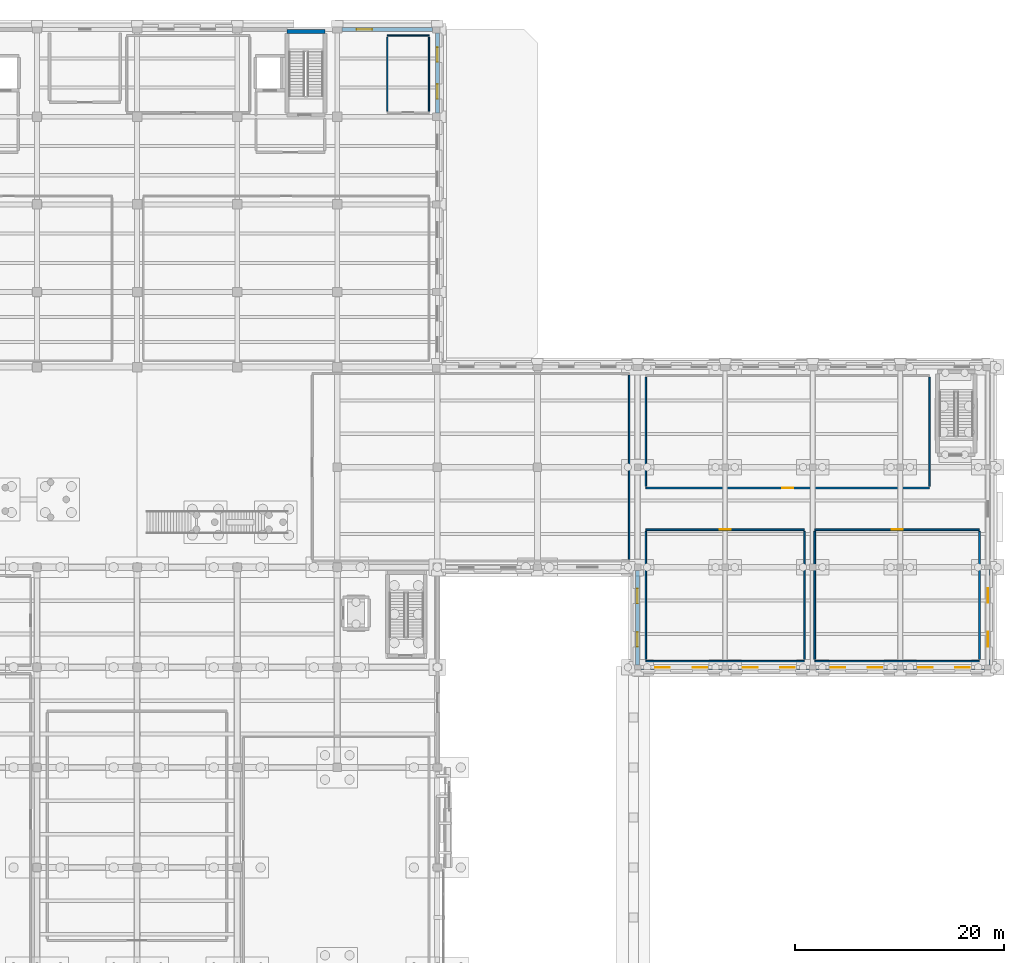
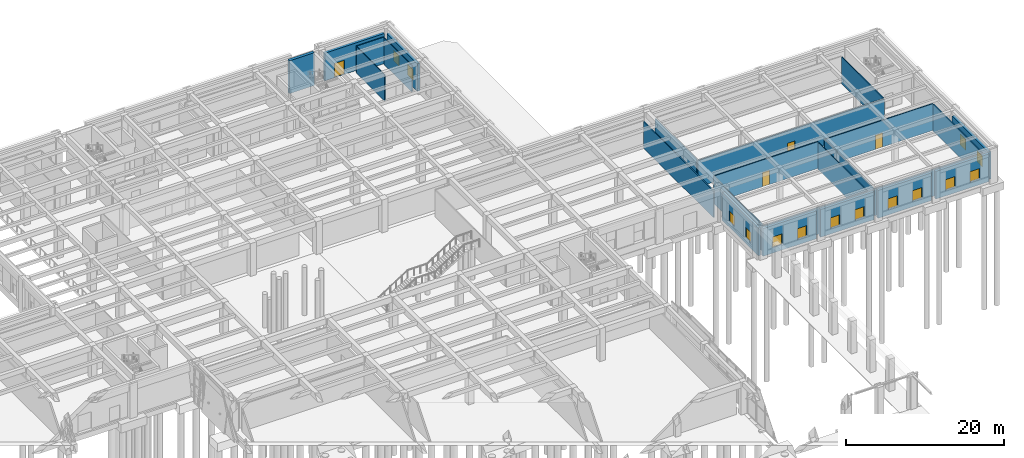
# One storey, part 36 of 51: 24 walls, 14 windows, 4 doors, 18 openings.
"""IFC4 building model written with IfcOpenShell, lengths in metres."""

from ifc_helpers import new_model, si_unit, direction, frame, frame_2d, origin, place, context, subcontext, project, spatial, rectangle, extrude, material, layer, layer_set, type_object, element, fill, save


model = new_model("IFC4")

# Units and contexts
model_context = context("Model", 3, precision=1e-05, world=origin(), true_north=direction((0.0, 1.0)))
body_context = subcontext(model_context, "Body", "Model", "MODEL_VIEW")
ifc_project = project(units=[si_unit("LENGTHUNIT", "METRE"), si_unit("AREAUNIT", "SQUARE_METRE"), si_unit("VOLUMEUNIT", "CUBIC_METRE"), si_unit("PLANEANGLEUNIT", "RADIAN"), si_unit("MASSUNIT", "GRAM", prefix="KILO")], contexts=[model_context])

# Site, building, storey
site_placement = place(None, origin())
site = spatial("IfcSite", under=ifc_project, at=site_placement, CompositionType="ELEMENT")
building_placement = place(site_placement, origin())
building = spatial("IfcBuilding", under=site, at=building_placement, Name="Bempovik Park Faculty of Sciences", CompositionType="ELEMENT")
storey_placement = place(building_placement, origin())
storey = spatial("IfcBuildingStorey", under=building, at=storey_placement, Name="L00", CompositionType="ELEMENT", Elevation=0.0)

# Walls
ifc_material_1 = material(Name="Gypsum acoustic stud assembly")
ifc_layer_1 = layer(ifc_material_1, 0.1201171875)
ifc_layer_set_1 = layer_set([ifc_layer_1], Name="Gypsum acoustic stud assembly")
wall_type_1 = type_object("IfcWallType", Name="W-17 Wall 120mm", PredefinedType="PARTITIONING", material=ifc_layer_set_1)
wall_1_placement = place(storey_placement, frame((112.800048828125, 118.800048828125, 0.0), z_axis=(0.0, 0.0, 1.0), x_axis=(1.0, 0.0, 0.0)))
element("IfcWall", 1, at=wall_1_placement, inside=storey, type_object=wall_type_1, Name="L00 Ground Accessible WC Partition North", PredefinedType="PARTITIONING", context=body_context, shape_type="SweptSolid", body=[
    extrude(rectangle(XDim=4.0, YDim=0.1201171875, at=frame_2d((2.0, 0.0))), origin(), (0.0, 0.0, 1.0), 4.1201171875),
])
for number, where, z_axis, x_axis, name in (
    (2, (112.800048828125, 111.56005859375, 0.0), (0.0, 0.0, 1.0), (0.0, 1.0, 0.0), "L00 Ground Accessible WC Partition West"),
    (3, (116.800048828125, 111.56005859375, 0.0), (0.0, 0.0, 1.0), (0.0, 1.0, 0.0), "L00 Ground Accessible WC Partition East"),
):
    element("IfcWall", number, at=place(storey_placement, frame(where, z_axis=z_axis, x_axis=x_axis)), inside=storey, type_object=wall_type_1, Name=name, PredefinedType="PARTITIONING", context=body_context, shape_type="SweptSolid", body=[
        extrude(rectangle(XDim=7.079833984375, YDim=0.1201171875, at=frame_2d((3.5400390625, 0.0))), origin(), (0.0, 0.0, 1.0), 4.1201171875),
    ])

# Wall, opening, door
ifc_material_2 = material(Name="Precast concrete C40/50", Category="concrete")
ifc_layer_2 = layer(ifc_material_2, 0.3798828125)
ifc_layer_set_2 = layer_set([ifc_layer_2], Name="Precast concrete C40/50")
wall_type_2 = type_object("IfcWallType", Name="W-27 Wall 380mm", PredefinedType="SOLIDWALL", material=ifc_layer_set_2)
wall_2_placement = place(storey_placement, frame((108.451904296875, 119.39990234375, 0.0), z_axis=(0.0, 0.0, 1.0), x_axis=(1.0, 0.0, 0.0)))
wall_2 = element("IfcWall", 4, at=wall_2_placement, inside=storey, type_object=wall_type_2, Name="L00 Classical Precast Facade Wall EW-L00-5876", PredefinedType="SOLIDWALL", context=body_context, shape_type="SweptSolid", body=[
    extrude(rectangle(XDim=8.696044921875, YDim=0.3798828125, at=frame_2d((4.34814453125, 0.0))), origin(), (0.0, 0.0, 1.0), 4.280029296875),
])
opening_1_placement = place(wall_2_placement, frame((1.39794921875, 0.0, 0.0)))
opening_1 = element("IfcOpeningElement", 5, at=opening_1_placement, cuts=wall_2, Name="Opening D-29", PredefinedType="OPENING", context=body_context, shape_type="SweptSolid", body=[
    extrude(rectangle(XDim=1.5, YDim=2.199951171875, at=frame_2d((0.75, 1.10009765625))), frame((0.0, 0.199951171875, 0.0), z_axis=(0.0, -1.0, 0.0), x_axis=(1.0, 0.0, 0.0)), (0.0, 0.0, 1.0), 0.39990234375),
])
ifc_material_3 = material(Name="Painted steel S355", Category="steel")
door_type_1 = type_object("IfcDoorType", Name="D-29 Door 1500x2200", OperationType="NOTDEFINED", PredefinedType="DOOR", material=ifc_material_3)
door_1_placement = place(opening_1_placement, origin())
door_1 = element("IfcDoor", 6, at=door_1_placement, inside=storey, type_object=door_type_1, Name="Stair ST-2 Final Street Discharge Door", OperationType="SINGLE_SWING_RIGHT", OverallHeight=2.199951171875, OverallWidth=1.5, PredefinedType="DOOR", context=body_context, shape_type="SweptSolid", body=[
    extrude(rectangle(XDim=1.5, YDim=2.199951171875, at=frame_2d((0.75, 1.10009765625))), frame((0.0, 0.02490234375, 0.0), z_axis=(0.0, -1.0, 0.0), x_axis=(1.0, 0.0, 0.0)), (0.0, 0.0, 1.0), 0.050048828125),
])
fill(opening_1, door_1)

# Wall, openings, windows
wall_3_placement = place(storey_placement, frame((117.60009765625, 111.35205078125, 0.0), z_axis=(0.0, 0.0, 1.0), x_axis=(0.0, 1.0, 0.0)))
wall_3 = element("IfcWall", 7, at=wall_3_placement, inside=storey, type_object=wall_type_2, Name="L00 Classical Precast Facade Wall EW-L00-5911", PredefinedType="SOLIDWALL", context=body_context, shape_type="SweptSolid", body=[
    extrude(rectangle(XDim=7.696044921875, YDim=0.3798828125, at=frame_2d((3.84814453125, 0.0))), origin(), (0.0, 0.0, 1.0), 4.280029296875),
])
opening_2_placement = place(wall_3_placement, frame((1.3779296875, 0.0, 0.85009765625)))
opening_2 = element("IfcOpeningElement", 8, at=opening_2_placement, cuts=wall_3, Name="Opening WN-84", PredefinedType="OPENING", context=body_context, shape_type="SweptSolid", body=[
    extrude(rectangle(XDim=1.39990234375, YDim=1.64990234375, at=frame_2d((0.699951171875, 0.824951171875))), frame((0.0, 0.199951171875, 0.0), z_axis=(0.0, -1.0, 0.0), x_axis=(1.0, 0.0, 0.0)), (0.0, 0.0, 1.0), 0.39990234375),
])
opening_3_placement = place(wall_3_placement, frame((4.918212890625, 0.0, 0.85009765625)))
opening_3 = element("IfcOpeningElement", 9, at=opening_3_placement, cuts=wall_3, Name="Opening WN-84", PredefinedType="OPENING", context=body_context, shape_type="SweptSolid", body=[
    extrude(rectangle(XDim=1.39990234375, YDim=1.64990234375, at=frame_2d((0.699951171875, 0.824951171875))), frame((0.0, 0.199951171875, 0.0), z_axis=(0.0, -1.0, 0.0), x_axis=(1.0, 0.0, 0.0)), (0.0, 0.0, 1.0), 0.39990234375),
])
ifc_material_4 = material(Name="Tempered laminated low-E glass", Category="glass")
window_type = type_object("IfcWindowType", Name="WN-84 Window 1400x1650", PartitioningType="SINGLE_PANEL", PredefinedType="WINDOW", material=ifc_material_4)
window_1_placement = place(opening_2_placement, origin())
window_1 = element("IfcWindow", 10, at=window_1_placement, inside=storey, type_object=window_type, Name="L00 Window EW-L00-5911-1", OverallHeight=1.64990234375, OverallWidth=1.39990234375, PartitioningType="SINGLE_PANEL", PredefinedType="WINDOW", context=body_context, shape_type="SweptSolid", body=[
    extrude(rectangle(XDim=1.39990234375, YDim=1.64990234375, at=frame_2d((0.699951171875, 0.824951171875))), frame((0.0, 0.030029296875, 0.0), z_axis=(0.0, -1.0, 0.0), x_axis=(1.0, 0.0, 0.0)), (0.0, 0.0, 1.0), 0.06005859375),
])
fill(opening_2, window_1)
window_2_placement = place(opening_3_placement, origin())
window_2 = element("IfcWindow", 11, at=window_2_placement, inside=storey, type_object=window_type, Name="L00 Window EW-L00-5911-2", OverallHeight=1.64990234375, OverallWidth=1.39990234375, PartitioningType="SINGLE_PANEL", PredefinedType="WINDOW", context=body_context, shape_type="SweptSolid", body=[
    extrude(rectangle(XDim=1.39990234375, YDim=1.64990234375, at=frame_2d((0.699951171875, 0.824951171875))), frame((0.0, 0.030029296875, 0.0), z_axis=(0.0, -1.0, 0.0), x_axis=(1.0, 0.0, 0.0)), (0.0, 0.0, 1.0), 0.06005859375),
])
fill(opening_3, window_2)

wall_4_placement = place(storey_placement, frame((170.39990234375, 58.431884765625, 0.0), z_axis=(0.0, 0.0, 1.0), x_axis=(0.0, 1.0, 0.0)))
wall_4 = element("IfcWall", 12, at=wall_4_placement, inside=storey, type_object=wall_type_2, Name="L00 Classical Precast Facade Wall EW-L00-5980", PredefinedType="SOLIDWALL", context=body_context, shape_type="SweptSolid", body=[
    extrude(rectangle(XDim=9.13623046875, YDim=0.3798828125, at=frame_2d((4.568115234375, 0.0))), origin(), (0.0, 0.0, 1.0), 4.280029296875),
])
opening_4_placement = place(wall_4_placement, frame((1.7666015625, 0.0, 0.85009765625)))
opening_4 = element("IfcOpeningElement", 13, at=opening_4_placement, cuts=wall_4, Name="Opening WN-84", PredefinedType="OPENING", context=body_context, shape_type="SweptSolid", body=[
    extrude(rectangle(XDim=1.39990234375, YDim=1.64990234375, at=frame_2d((0.699951171875, 0.824951171875))), frame((0.0, 0.199951171875, 0.0), z_axis=(0.0, -1.0, 0.0), x_axis=(1.0, 0.0, 0.0)), (0.0, 0.0, 1.0), 0.39990234375),
])
opening_5_placement = place(wall_4_placement, frame((5.96923828125, 0.0, 0.85009765625)))
opening_5 = element("IfcOpeningElement", 14, at=opening_5_placement, cuts=wall_4, Name="Opening WN-84", PredefinedType="OPENING", context=body_context, shape_type="SweptSolid", body=[
    extrude(rectangle(XDim=1.39990234375, YDim=1.64990234375, at=frame_2d((0.699951171875, 0.824951171875))), frame((0.0, 0.199951171875, 0.0), z_axis=(0.0, -1.0, 0.0), x_axis=(1.0, 0.0, 0.0)), (0.0, 0.0, 1.0), 0.39990234375),
])
window_3_placement = place(opening_4_placement, origin())
window_3 = element("IfcWindow", 15, at=window_3_placement, inside=storey, type_object=window_type, Name="L00 Window EW-L00-5980-1", OverallHeight=1.64990234375, OverallWidth=1.39990234375, PartitioningType="SINGLE_PANEL", PredefinedType="WINDOW", context=body_context, shape_type="SweptSolid", body=[
    extrude(rectangle(XDim=1.39990234375, YDim=1.64990234375, at=frame_2d((0.699951171875, 0.824951171875))), frame((0.0, 0.030029296875, 0.0), z_axis=(0.0, -1.0, 0.0), x_axis=(1.0, 0.0, 0.0)), (0.0, 0.0, 1.0), 0.06005859375),
])
fill(opening_4, window_3)
window_4_placement = place(opening_5_placement, origin())
window_4 = element("IfcWindow", 16, at=window_4_placement, inside=storey, type_object=window_type, Name="L00 Window EW-L00-5980-2", OverallHeight=1.64990234375, OverallWidth=1.39990234375, PartitioningType="SINGLE_PANEL", PredefinedType="WINDOW", context=body_context, shape_type="SweptSolid", body=[
    extrude(rectangle(XDim=1.39990234375, YDim=1.64990234375, at=frame_2d((0.699951171875, 0.824951171875))), frame((0.0, 0.030029296875, 0.0), z_axis=(0.0, -1.0, 0.0), x_axis=(1.0, 0.0, 0.0)), (0.0, 0.0, 1.0), 0.06005859375),
])
fill(opening_5, window_4)

wall_5_placement = place(storey_placement, frame((137.112060546875, 58.199951171875, 0.0), z_axis=(0.0, 0.0, 1.0), x_axis=(1.0, 0.0, 0.0)))
wall_5 = element("IfcWall", 17, at=wall_5_placement, inside=storey, type_object=wall_type_2, Name="L00 Classical Precast Facade Wall EW-L00-5999", PredefinedType="SOLIDWALL", context=body_context, shape_type="SweptSolid", body=[
    extrude(rectangle(XDim=7.77587890625, YDim=0.3798828125, at=frame_2d((3.887939453125, 0.0))), origin(), (0.0, 0.0, 1.0), 4.280029296875),
])
opening_6_placement = place(wall_5_placement, frame((1.3994140625, 0.0, 0.85009765625)))
opening_6 = element("IfcOpeningElement", 18, at=opening_6_placement, cuts=wall_5, Name="Opening WN-84", PredefinedType="OPENING", context=body_context, shape_type="SweptSolid", body=[
    extrude(rectangle(XDim=1.39990234375, YDim=1.64990234375, at=frame_2d((0.699951171875, 0.824951171875))), frame((0.0, 0.199951171875, 0.0), z_axis=(0.0, -1.0, 0.0), x_axis=(1.0, 0.0, 0.0)), (0.0, 0.0, 1.0), 0.39990234375),
])
opening_7_placement = place(wall_5_placement, frame((4.9765625, 0.0, 0.85009765625)))
opening_7 = element("IfcOpeningElement", 19, at=opening_7_placement, cuts=wall_5, Name="Opening WN-84", PredefinedType="OPENING", context=body_context, shape_type="SweptSolid", body=[
    extrude(rectangle(XDim=1.39990234375, YDim=1.64990234375, at=frame_2d((0.699951171875, 0.824951171875))), frame((0.0, 0.199951171875, 0.0), z_axis=(0.0, -1.0, 0.0), x_axis=(1.0, 0.0, 0.0)), (0.0, 0.0, 1.0), 0.39990234375),
])
window_5_placement = place(opening_6_placement, origin())
window_5 = element("IfcWindow", 20, at=window_5_placement, inside=storey, type_object=window_type, Name="L00 Window EW-L00-5999-1", OverallHeight=1.64990234375, OverallWidth=1.39990234375, PartitioningType="SINGLE_PANEL", PredefinedType="WINDOW", context=body_context, shape_type="SweptSolid", body=[
    extrude(rectangle(XDim=1.39990234375, YDim=1.64990234375, at=frame_2d((0.699951171875, 0.824951171875))), frame((0.0, 0.030029296875, 0.0), z_axis=(0.0, -1.0, 0.0), x_axis=(1.0, 0.0, 0.0)), (0.0, 0.0, 1.0), 0.06005859375),
])
fill(opening_6, window_5)
window_6_placement = place(opening_7_placement, origin())
window_6 = element("IfcWindow", 21, at=window_6_placement, inside=storey, type_object=window_type, Name="L00 Window EW-L00-5999-2", OverallHeight=1.64990234375, OverallWidth=1.39990234375, PartitioningType="SINGLE_PANEL", PredefinedType="WINDOW", context=body_context, shape_type="SweptSolid", body=[
    extrude(rectangle(XDim=1.39990234375, YDim=1.64990234375, at=frame_2d((0.699951171875, 0.824951171875))), frame((0.0, 0.030029296875, 0.0), z_axis=(0.0, -1.0, 0.0), x_axis=(1.0, 0.0, 0.0)), (0.0, 0.0, 1.0), 0.06005859375),
])
fill(opening_7, window_6)

wall_6_placement = place(storey_placement, frame((145.511962890625, 58.199951171875, 0.0), z_axis=(0.0, 0.0, 1.0), x_axis=(1.0, 0.0, 0.0)))
wall_6 = element("IfcWall", 22, at=wall_6_placement, inside=storey, type_object=wall_type_2, Name="L00 Classical Precast Facade Wall EW-L00-6010", PredefinedType="SOLIDWALL", context=body_context, shape_type="SweptSolid", body=[
    extrude(rectangle(XDim=7.776123046875, YDim=0.3798828125, at=frame_2d((3.88818359375, 0.0))), origin(), (0.0, 0.0, 1.0), 4.280029296875),
])
opening_8_placement = place(wall_6_placement, frame((1.3994140625, 0.0, 0.85009765625)))
opening_8 = element("IfcOpeningElement", 23, at=opening_8_placement, cuts=wall_6, Name="Opening WN-84", PredefinedType="OPENING", context=body_context, shape_type="SweptSolid", body=[
    extrude(rectangle(XDim=1.39990234375, YDim=1.64990234375, at=frame_2d((0.699951171875, 0.824951171875))), frame((0.0, 0.199951171875, 0.0), z_axis=(0.0, -1.0, 0.0), x_axis=(1.0, 0.0, 0.0)), (0.0, 0.0, 1.0), 0.39990234375),
])
opening_9_placement = place(wall_6_placement, frame((4.9765625, 0.0, 0.85009765625)))
opening_9 = element("IfcOpeningElement", 24, at=opening_9_placement, cuts=wall_6, Name="Opening WN-84", PredefinedType="OPENING", context=body_context, shape_type="SweptSolid", body=[
    extrude(rectangle(XDim=1.39990234375, YDim=1.64990234375, at=frame_2d((0.699951171875, 0.824951171875))), frame((0.0, 0.199951171875, 0.0), z_axis=(0.0, -1.0, 0.0), x_axis=(1.0, 0.0, 0.0)), (0.0, 0.0, 1.0), 0.39990234375),
])
window_7_placement = place(opening_8_placement, origin())
window_7 = element("IfcWindow", 25, at=window_7_placement, inside=storey, type_object=window_type, Name="L00 Window EW-L00-6010-1", OverallHeight=1.64990234375, OverallWidth=1.39990234375, PartitioningType="SINGLE_PANEL", PredefinedType="WINDOW", context=body_context, shape_type="SweptSolid", body=[
    extrude(rectangle(XDim=1.39990234375, YDim=1.64990234375, at=frame_2d((0.699951171875, 0.824951171875))), frame((0.0, 0.030029296875, 0.0), z_axis=(0.0, -1.0, 0.0), x_axis=(1.0, 0.0, 0.0)), (0.0, 0.0, 1.0), 0.06005859375),
])
fill(opening_8, window_7)
window_8_placement = place(opening_9_placement, origin())
window_8 = element("IfcWindow", 26, at=window_8_placement, inside=storey, type_object=window_type, Name="L00 Window EW-L00-6010-2", OverallHeight=1.64990234375, OverallWidth=1.39990234375, PartitioningType="SINGLE_PANEL", PredefinedType="WINDOW", context=body_context, shape_type="SweptSolid", body=[
    extrude(rectangle(XDim=1.39990234375, YDim=1.64990234375, at=frame_2d((0.699951171875, 0.824951171875))), frame((0.0, 0.030029296875, 0.0), z_axis=(0.0, -1.0, 0.0), x_axis=(1.0, 0.0, 0.0)), (0.0, 0.0, 1.0), 0.06005859375),
])
fill(opening_9, window_8)

wall_7_placement = place(storey_placement, frame((153.912109375, 58.199951171875, 0.0), z_axis=(0.0, 0.0, 1.0), x_axis=(1.0, 0.0, 0.0)))
wall_7 = element("IfcWall", 27, at=wall_7_placement, inside=storey, type_object=wall_type_2, Name="L00 Classical Precast Facade Wall EW-L00-6020", PredefinedType="SOLIDWALL", context=body_context, shape_type="SweptSolid", body=[
    extrude(rectangle(XDim=7.77587890625, YDim=0.3798828125, at=frame_2d((3.887939453125, 0.0))), origin(), (0.0, 0.0, 1.0), 4.280029296875),
])
opening_10_placement = place(wall_7_placement, frame((1.3994140625, 0.0, 0.85009765625)))
opening_10 = element("IfcOpeningElement", 28, at=opening_10_placement, cuts=wall_7, Name="Opening WN-84", PredefinedType="OPENING", context=body_context, shape_type="SweptSolid", body=[
    extrude(rectangle(XDim=1.39990234375, YDim=1.64990234375, at=frame_2d((0.699951171875, 0.824951171875))), frame((0.0, 0.199951171875, 0.0), z_axis=(0.0, -1.0, 0.0), x_axis=(1.0, 0.0, 0.0)), (0.0, 0.0, 1.0), 0.39990234375),
])
opening_11_placement = place(wall_7_placement, frame((4.9765625, 0.0, 0.85009765625)))
opening_11 = element("IfcOpeningElement", 29, at=opening_11_placement, cuts=wall_7, Name="Opening WN-84", PredefinedType="OPENING", context=body_context, shape_type="SweptSolid", body=[
    extrude(rectangle(XDim=1.39990234375, YDim=1.64990234375, at=frame_2d((0.699951171875, 0.824951171875))), frame((0.0, 0.199951171875, 0.0), z_axis=(0.0, -1.0, 0.0), x_axis=(1.0, 0.0, 0.0)), (0.0, 0.0, 1.0), 0.39990234375),
])
window_9_placement = place(opening_10_placement, origin())
window_9 = element("IfcWindow", 30, at=window_9_placement, inside=storey, type_object=window_type, Name="L00 Window EW-L00-6020-1", OverallHeight=1.64990234375, OverallWidth=1.39990234375, PartitioningType="SINGLE_PANEL", PredefinedType="WINDOW", context=body_context, shape_type="SweptSolid", body=[
    extrude(rectangle(XDim=1.39990234375, YDim=1.64990234375, at=frame_2d((0.699951171875, 0.824951171875))), frame((0.0, 0.030029296875, 0.0), z_axis=(0.0, -1.0, 0.0), x_axis=(1.0, 0.0, 0.0)), (0.0, 0.0, 1.0), 0.06005859375),
])
fill(opening_10, window_9)
window_10_placement = place(opening_11_placement, origin())
window_10 = element("IfcWindow", 31, at=window_10_placement, inside=storey, type_object=window_type, Name="L00 Window EW-L00-6020-2", OverallHeight=1.64990234375, OverallWidth=1.39990234375, PartitioningType="SINGLE_PANEL", PredefinedType="WINDOW", context=body_context, shape_type="SweptSolid", body=[
    extrude(rectangle(XDim=1.39990234375, YDim=1.64990234375, at=frame_2d((0.699951171875, 0.824951171875))), frame((0.0, 0.030029296875, 0.0), z_axis=(0.0, -1.0, 0.0), x_axis=(1.0, 0.0, 0.0)), (0.0, 0.0, 1.0), 0.06005859375),
])
fill(opening_11, window_10)

wall_8_placement = place(storey_placement, frame((162.31201171875, 58.199951171875, 0.0), z_axis=(0.0, 0.0, 1.0), x_axis=(1.0, 0.0, 0.0)))
wall_8 = element("IfcWall", 32, at=wall_8_placement, inside=storey, type_object=wall_type_2, Name="L00 Classical Precast Facade Wall EW-L00-6030", PredefinedType="SOLIDWALL", context=body_context, shape_type="SweptSolid", body=[
    extrude(rectangle(XDim=7.77587890625, YDim=0.3798828125, at=frame_2d((3.887939453125, 0.0))), origin(), (0.0, 0.0, 1.0), 4.280029296875),
])
opening_12_placement = place(wall_8_placement, frame((1.3994140625, 0.0, 0.85009765625)))
opening_12 = element("IfcOpeningElement", 33, at=opening_12_placement, cuts=wall_8, Name="Opening WN-84", PredefinedType="OPENING", context=body_context, shape_type="SweptSolid", body=[
    extrude(rectangle(XDim=1.39990234375, YDim=1.64990234375, at=frame_2d((0.699951171875, 0.824951171875))), frame((0.0, 0.199951171875, 0.0), z_axis=(0.0, -1.0, 0.0), x_axis=(1.0, 0.0, 0.0)), (0.0, 0.0, 1.0), 0.39990234375),
])
opening_13_placement = place(wall_8_placement, frame((4.9765625, 0.0, 0.85009765625)))
opening_13 = element("IfcOpeningElement", 34, at=opening_13_placement, cuts=wall_8, Name="Opening WN-84", PredefinedType="OPENING", context=body_context, shape_type="SweptSolid", body=[
    extrude(rectangle(XDim=1.39990234375, YDim=1.64990234375, at=frame_2d((0.699951171875, 0.824951171875))), frame((0.0, 0.199951171875, 0.0), z_axis=(0.0, -1.0, 0.0), x_axis=(1.0, 0.0, 0.0)), (0.0, 0.0, 1.0), 0.39990234375),
])
window_11_placement = place(opening_12_placement, origin())
window_11 = element("IfcWindow", 35, at=window_11_placement, inside=storey, type_object=window_type, Name="L00 Window EW-L00-6030-1", OverallHeight=1.64990234375, OverallWidth=1.39990234375, PartitioningType="SINGLE_PANEL", PredefinedType="WINDOW", context=body_context, shape_type="SweptSolid", body=[
    extrude(rectangle(XDim=1.39990234375, YDim=1.64990234375, at=frame_2d((0.699951171875, 0.824951171875))), frame((0.0, 0.030029296875, 0.0), z_axis=(0.0, -1.0, 0.0), x_axis=(1.0, 0.0, 0.0)), (0.0, 0.0, 1.0), 0.06005859375),
])
fill(opening_12, window_11)
window_12_placement = place(opening_13_placement, origin())
window_12 = element("IfcWindow", 36, at=window_12_placement, inside=storey, type_object=window_type, Name="L00 Window EW-L00-6030-2", OverallHeight=1.64990234375, OverallWidth=1.39990234375, PartitioningType="SINGLE_PANEL", PredefinedType="WINDOW", context=body_context, shape_type="SweptSolid", body=[
    extrude(rectangle(XDim=1.39990234375, YDim=1.64990234375, at=frame_2d((0.699951171875, 0.824951171875))), frame((0.0, 0.030029296875, 0.0), z_axis=(0.0, -1.0, 0.0), x_axis=(1.0, 0.0, 0.0)), (0.0, 0.0, 1.0), 0.06005859375),
])
fill(opening_13, window_12)

wall_9_placement = place(storey_placement, frame((136.800048828125, 58.431884765625, 0.0), z_axis=(0.0, 0.0, 1.0), x_axis=(0.0, 1.0, 0.0)))
wall_9 = element("IfcWall", 37, at=wall_9_placement, inside=storey, type_object=wall_type_2, Name="L00 Classical Precast Facade Wall EW-L00-6040", PredefinedType="SOLIDWALL", context=body_context, shape_type="SweptSolid", body=[
    extrude(rectangle(XDim=9.05615234375, YDim=0.3798828125, at=frame_2d((4.528076171875, 0.0))), origin(), (0.0, 0.0, 1.0), 4.280029296875),
])
opening_14_placement = place(wall_9_placement, frame((1.7451171875, 0.0, 0.85009765625)))
opening_14 = element("IfcOpeningElement", 38, at=opening_14_placement, cuts=wall_9, Name="Opening WN-84", PredefinedType="OPENING", context=body_context, shape_type="SweptSolid", body=[
    extrude(rectangle(XDim=1.39990234375, YDim=1.64990234375, at=frame_2d((0.699951171875, 0.824951171875))), frame((0.0, 0.199951171875, 0.0), z_axis=(0.0, -1.0, 0.0), x_axis=(1.0, 0.0, 0.0)), (0.0, 0.0, 1.0), 0.39990234375),
])
opening_15_placement = place(wall_9_placement, frame((5.910888671875, 0.0, 0.85009765625)))
opening_15 = element("IfcOpeningElement", 39, at=opening_15_placement, cuts=wall_9, Name="Opening WN-84", PredefinedType="OPENING", context=body_context, shape_type="SweptSolid", body=[
    extrude(rectangle(XDim=1.39990234375, YDim=1.64990234375, at=frame_2d((0.699951171875, 0.824951171875))), frame((0.0, 0.199951171875, 0.0), z_axis=(0.0, -1.0, 0.0), x_axis=(1.0, 0.0, 0.0)), (0.0, 0.0, 1.0), 0.39990234375),
])
window_13_placement = place(opening_14_placement, origin())
window_13 = element("IfcWindow", 40, at=window_13_placement, inside=storey, type_object=window_type, Name="L00 Window EW-L00-6040-1", OverallHeight=1.64990234375, OverallWidth=1.39990234375, PartitioningType="SINGLE_PANEL", PredefinedType="WINDOW", context=body_context, shape_type="SweptSolid", body=[
    extrude(rectangle(XDim=1.39990234375, YDim=1.64990234375, at=frame_2d((0.699951171875, 0.824951171875))), frame((0.0, 0.030029296875, 0.0), z_axis=(0.0, -1.0, 0.0), x_axis=(1.0, 0.0, 0.0)), (0.0, 0.0, 1.0), 0.06005859375),
])
fill(opening_14, window_13)
window_14_placement = place(opening_15_placement, origin())
window_14 = element("IfcWindow", 41, at=window_14_placement, inside=storey, type_object=window_type, Name="L00 Window EW-L00-6040-2", OverallHeight=1.64990234375, OverallWidth=1.39990234375, PartitioningType="SINGLE_PANEL", PredefinedType="WINDOW", context=body_context, shape_type="SweptSolid", body=[
    extrude(rectangle(XDim=1.39990234375, YDim=1.64990234375, at=frame_2d((0.699951171875, 0.824951171875))), frame((0.0, 0.030029296875, 0.0), z_axis=(0.0, -1.0, 0.0), x_axis=(1.0, 0.0, 0.0)), (0.0, 0.0, 1.0), 0.06005859375),
])
fill(opening_15, window_14)

# Walls
ifc_layer_3 = layer(ifc_material_1, 0.14990234375)
ifc_layer_set_3 = layer_set([ifc_layer_3], Name="Gypsum acoustic stud assembly")
wall_type_3 = type_object("IfcWallType", Name="W-42 Wall 150mm", PredefinedType="PARTITIONING", material=ifc_layer_set_3)
wall_10_placement = place(storey_placement, frame((136.0, 68.56005859375, 0.0), z_axis=(0.0, 0.0, 1.0), x_axis=(0.0, 1.0, 0.0)))
element("IfcWall", 42, at=wall_10_placement, inside=storey, type_object=wall_type_3, Name="L00 Community Science Exhibition Gallery Partition East", PredefinedType="PARTITIONING", context=body_context, shape_type="SweptSolid", body=[
    extrude(rectangle(XDim=17.679931640625, YDim=0.14990234375, at=frame_2d((8.83984375, 0.0))), origin(), (0.0, 0.0, 1.0), 4.1201171875),
])
wall_11_placement = place(storey_placement, frame((137.60009765625, 58.800048828125, 0.0), z_axis=(0.0, 0.0, 1.0), x_axis=(1.0, 0.0, 0.0)))
element("IfcWall", 43, at=wall_11_placement, inside=storey, type_object=wall_type_3, Name="L00 Botany Seminar Room Partition South", PredefinedType="PARTITIONING", context=body_context, shape_type="SweptSolid", body=[
    extrude(rectangle(XDim=15.199951171875, YDim=0.14990234375, at=frame_2d((7.60009765625, 0.0))), origin(), (0.0, 0.0, 1.0), 4.1201171875),
])

# Wall, opening, door
wall_12_placement = place(storey_placement, frame((137.60009765625, 71.39990234375, 0.0), z_axis=(0.0, 0.0, 1.0), x_axis=(1.0, 0.0, 0.0)))
wall_12 = element("IfcWall", 44, at=wall_12_placement, inside=storey, type_object=wall_type_3, Name="L00 Botany Seminar Room Partition North", PredefinedType="PARTITIONING", context=body_context, shape_type="SweptSolid", body=[
    extrude(rectangle(XDim=15.199951171875, YDim=0.14990234375, at=frame_2d((7.60009765625, 0.0))), origin(), (0.0, 0.0, 1.0), 4.1201171875),
])
opening_16_placement = place(wall_12_placement, frame((7.074951171875, 0.0, 0.0)))
opening_16 = element("IfcOpeningElement", 45, at=opening_16_placement, cuts=wall_12, Name="Opening D-16", PredefinedType="OPENING", context=body_context, shape_type="SweptSolid", body=[
    extrude(rectangle(XDim=1.050048828125, YDim=2.199951171875, at=frame_2d((0.52490234375, 1.10009765625))), frame((0.0, 0.0849609375, 0.0), z_axis=(0.0, -1.0, 0.0), x_axis=(1.0, 0.0, 0.0)), (0.0, 0.0, 1.0), 0.169921875),
])
ifc_material_5 = material(Name="West African hardwood finish", Category="wood")
door_type_2 = type_object("IfcDoorType", Name="D-16 Door 1050x2200", OperationType="NOTDEFINED", PredefinedType="DOOR", material=ifc_material_5)
door_2_placement = place(opening_16_placement, origin())
door_2 = element("IfcDoor", 46, at=door_2_placement, inside=storey, type_object=door_type_2, Name="L00 Botany Seminar Room Door", OperationType="SINGLE_SWING_LEFT", OverallHeight=2.199951171875, OverallWidth=1.050048828125, PredefinedType="DOOR", context=body_context, shape_type="SweptSolid", body=[
    extrude(rectangle(XDim=1.050048828125, YDim=2.199951171875, at=frame_2d((0.52490234375, 1.10009765625))), frame((0.0, 0.02490234375, 0.0), z_axis=(0.0, -1.0, 0.0), x_axis=(1.0, 0.0, 0.0)), (0.0, 0.0, 1.0), 0.050048828125),
])
fill(opening_16, door_2)

# Walls
for number, where, z_axis, x_axis, name in (
    (47, (137.60009765625, 58.9599609375, 0.0), (0.0, 0.0, 1.0), (0.0, 1.0, 0.0), "L00 Botany Seminar Room Partition West"),
    (48, (152.800048828125, 58.9599609375, 0.0), (0.0, 0.0, 1.0), (0.0, 1.0, 0.0), "L00 Botany Seminar Room Partition East"),
):
    element("IfcWall", number, at=place(storey_placement, frame(where, z_axis=z_axis, x_axis=x_axis)), inside=storey, type_object=wall_type_3, Name=name, PredefinedType="PARTITIONING", context=body_context, shape_type="SweptSolid", body=[
        extrude(rectangle(XDim=12.280029296875, YDim=0.14990234375, at=frame_2d((6.14013671875, 0.0))), origin(), (0.0, 0.0, 1.0), 4.1201171875),
    ])
wall_13_placement = place(storey_placement, frame((153.800048828125, 58.800048828125, 0.0), z_axis=(0.0, 0.0, 1.0), x_axis=(1.0, 0.0, 0.0)))
element("IfcWall", 49, at=wall_13_placement, inside=storey, type_object=wall_type_3, Name="L00 Mathematics Seminar Room Partition South", PredefinedType="PARTITIONING", context=body_context, shape_type="SweptSolid", body=[
    extrude(rectangle(XDim=15.800048828125, YDim=0.14990234375, at=frame_2d((7.89990234375, 0.0))), origin(), (0.0, 0.0, 1.0), 4.1201171875),
])

# Wall, opening, door
wall_14_placement = place(storey_placement, frame((153.800048828125, 71.39990234375, 0.0), z_axis=(0.0, 0.0, 1.0), x_axis=(1.0, 0.0, 0.0)))
wall_14 = element("IfcWall", 50, at=wall_14_placement, inside=storey, type_object=wall_type_3, Name="L00 Mathematics Seminar Room Partition North", PredefinedType="PARTITIONING", context=body_context, shape_type="SweptSolid", body=[
    extrude(rectangle(XDim=15.800048828125, YDim=0.14990234375, at=frame_2d((7.89990234375, 0.0))), origin(), (0.0, 0.0, 1.0), 4.1201171875),
])
opening_17_placement = place(wall_14_placement, frame((7.375, 0.0, 0.0)))
opening_17 = element("IfcOpeningElement", 51, at=opening_17_placement, cuts=wall_14, Name="Opening D-16", PredefinedType="OPENING", context=body_context, shape_type="SweptSolid", body=[
    extrude(rectangle(XDim=1.050048828125, YDim=2.199951171875, at=frame_2d((0.52490234375, 1.10009765625))), frame((0.0, 0.0849609375, 0.0), z_axis=(0.0, -1.0, 0.0), x_axis=(1.0, 0.0, 0.0)), (0.0, 0.0, 1.0), 0.169921875),
])
door_3_placement = place(opening_17_placement, origin())
door_3 = element("IfcDoor", 52, at=door_3_placement, inside=storey, type_object=door_type_2, Name="L00 Mathematics Seminar Room Door", OperationType="SINGLE_SWING_RIGHT", OverallHeight=2.199951171875, OverallWidth=1.050048828125, PredefinedType="DOOR", context=body_context, shape_type="SweptSolid", body=[
    extrude(rectangle(XDim=1.050048828125, YDim=2.199951171875, at=frame_2d((0.52490234375, 1.10009765625))), frame((0.0, 0.02490234375, 0.0), z_axis=(0.0, -1.0, 0.0), x_axis=(1.0, 0.0, 0.0)), (0.0, 0.0, 1.0), 0.050048828125),
])
fill(opening_17, door_3)

# Walls
for number, where, z_axis, x_axis, name in (
    (53, (153.800048828125, 58.9599609375, 0.0), (0.0, 0.0, 1.0), (0.0, 1.0, 0.0), "L00 Mathematics Seminar Room Partition West"),
    (54, (169.60009765625, 58.9599609375, 0.0), (0.0, 0.0, 1.0), (0.0, 1.0, 0.0), "L00 Mathematics Seminar Room Partition East"),
):
    element("IfcWall", number, at=place(storey_placement, frame(where, z_axis=z_axis, x_axis=x_axis)), inside=storey, type_object=wall_type_3, Name=name, PredefinedType="PARTITIONING", context=body_context, shape_type="SweptSolid", body=[
        extrude(rectangle(XDim=12.280029296875, YDim=0.14990234375, at=frame_2d((6.14013671875, 0.0))), origin(), (0.0, 0.0, 1.0), 4.1201171875),
    ])

# Wall, opening, door
wall_15_placement = place(storey_placement, frame((137.60009765625, 75.39990234375, 0.0), z_axis=(0.0, 0.0, 1.0), x_axis=(1.0, 0.0, 0.0)))
wall_15 = element("IfcWall", 55, at=wall_15_placement, inside=storey, type_object=wall_type_3, Name="L00 Earth Sciences Tutorial Room Partition South", PredefinedType="PARTITIONING", context=body_context, shape_type="SweptSolid", body=[
    extrude(rectangle(XDim=27.199951171875, YDim=0.14990234375, at=frame_2d((13.60009765625, 0.0))), origin(), (0.0, 0.0, 1.0), 4.1201171875),
])
opening_18_placement = place(wall_15_placement, frame((13.074951171875, 0.0, 0.0)))
opening_18 = element("IfcOpeningElement", 56, at=opening_18_placement, cuts=wall_15, Name="Opening D-16", PredefinedType="OPENING", context=body_context, shape_type="SweptSolid", body=[
    extrude(rectangle(XDim=1.050048828125, YDim=2.199951171875, at=frame_2d((0.52490234375, 1.10009765625))), frame((0.0, 0.0849609375, 0.0), z_axis=(0.0, -1.0, 0.0), x_axis=(1.0, 0.0, 0.0)), (0.0, 0.0, 1.0), 0.169921875),
])
door_4_placement = place(opening_18_placement, origin())
door_4 = element("IfcDoor", 57, at=door_4_placement, inside=storey, type_object=door_type_2, Name="L00 Earth Sciences Tutorial Room Door", OperationType="SINGLE_SWING_LEFT", OverallHeight=2.199951171875, OverallWidth=1.050048828125, PredefinedType="DOOR", context=body_context, shape_type="SweptSolid", body=[
    extrude(rectangle(XDim=1.050048828125, YDim=2.199951171875, at=frame_2d((0.52490234375, 1.10009765625))), frame((0.0, 0.02490234375, 0.0), z_axis=(0.0, -1.0, 0.0), x_axis=(1.0, 0.0, 0.0)), (0.0, 0.0, 1.0), 0.050048828125),
])
fill(opening_18, door_4)

# Walls
for number, where, z_axis, x_axis, name in (
    (58, (137.60009765625, 75.56005859375, 0.0), (0.0, 0.0, 1.0), (0.0, 1.0, 0.0), "L00 Earth Sciences Tutorial Room Partition West"),
    (59, (164.800048828125, 75.56005859375, 0.0), (0.0, 0.0, 1.0), (0.0, 1.0, 0.0), "L00 Earth Sciences Tutorial Room Partition East"),
):
    element("IfcWall", number, at=place(storey_placement, frame(where, z_axis=z_axis, x_axis=x_axis)), inside=storey, type_object=wall_type_3, Name=name, PredefinedType="PARTITIONING", context=body_context, shape_type="SweptSolid", body=[
        extrude(rectangle(XDim=10.47998046875, YDim=0.14990234375, at=frame_2d((5.239990234375, 0.0))), origin(), (0.0, 0.0, 1.0), 4.1201171875),
    ])
ifc_material_6 = material(Name="Concrete C40/50", Category="concrete")
ifc_layer_4 = layer(ifc_material_6, 0.39990234375)
ifc_layer_set_4 = layer_set([ifc_layer_4], Name="Concrete C40/50")
wall_type_4 = type_object("IfcWallType", Name="W-47 Wall 400mm", PredefinedType="SHEAR", material=ifc_layer_set_4)
wall_16_placement = place(storey_placement, frame((103.175048828125, 119.199951171875, 0.0), z_axis=(0.0, 0.0, 1.0), x_axis=(1.0, 0.0, 0.0)))
element("IfcWall", 60, at=wall_16_placement, inside=storey, type_object=wall_type_4, Name="ST-2 L00 Core Shear Wall North", PredefinedType="SHEAR", context=body_context, shape_type="SweptSolid", body=[
    extrude(rectangle(XDim=3.64990234375, YDim=0.39990234375, at=frame_2d((1.824951171875, 0.0))), origin(), (0.0, 0.0, 1.0), 5.080078125),
])

save(model, "model.ifc")
